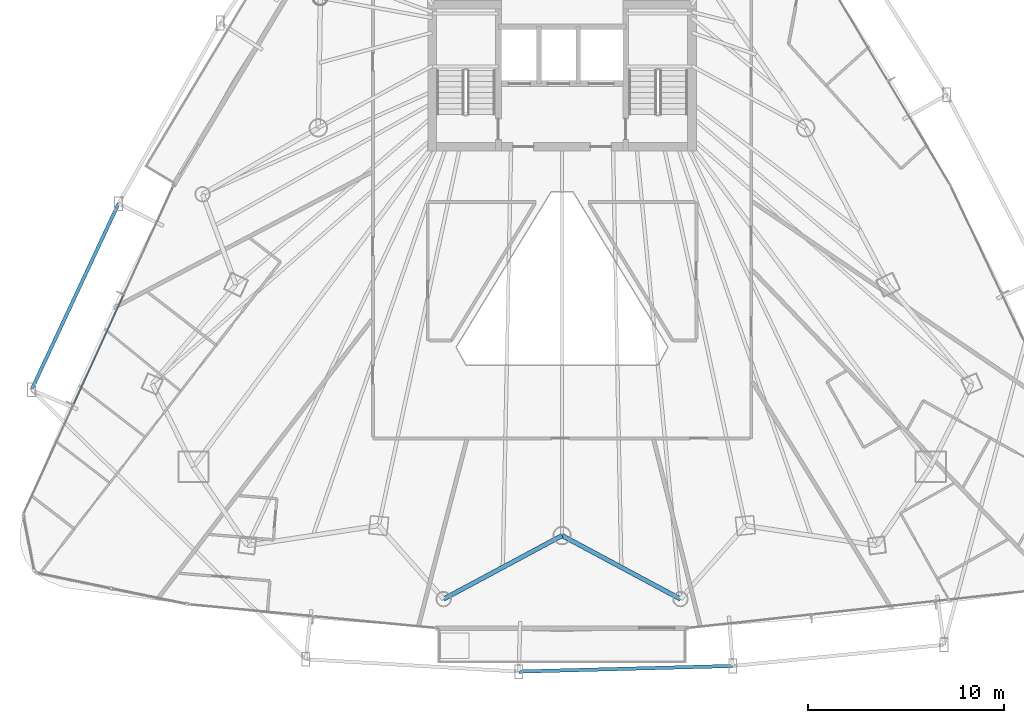
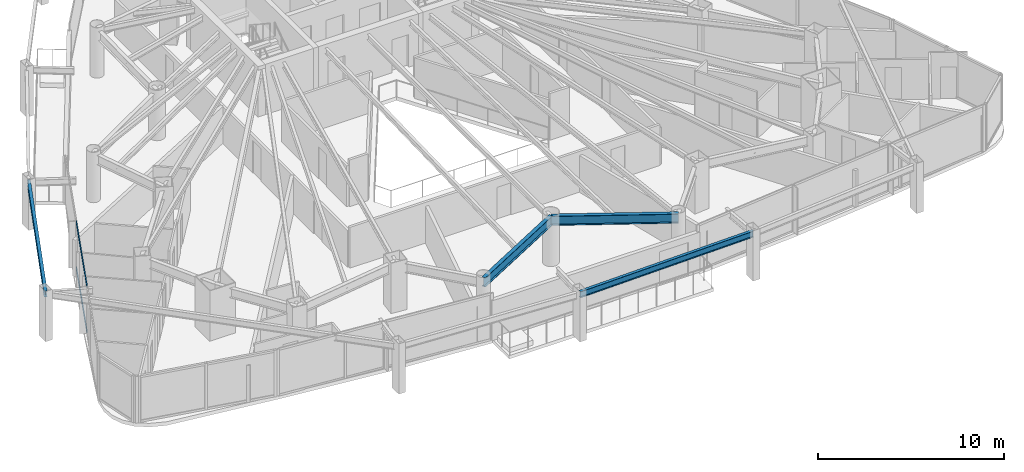
# One storey, part 7 of 34: 4 beams, 2 members, 1 element without a shape of its own.
"""IFC4 building model written with IfcOpenShell, lengths in metres."""

from ifc_helpers import new_model, si_unit, direction, frame, origin, origin_2d, place, context, subcontext, project, spatial, hollow_rectangle, i_section, extrude, material, layer, layer_set, material_profile, profile_set, type_object, element, aggregate, save


model = new_model("IFC4")

# Units and contexts
model_context = context("Model", 3, precision=1e-05, world=origin(), true_north=direction((0.0, 1.0)))
body_context = subcontext(model_context, "Body", "Model", "MODEL_VIEW")
ifc_project = project(units=[si_unit("LENGTHUNIT", "METRE"), si_unit("AREAUNIT", "SQUARE_METRE"), si_unit("VOLUMEUNIT", "CUBIC_METRE"), si_unit("PLANEANGLEUNIT", "RADIAN"), si_unit("MASSUNIT", "GRAM", prefix="KILO")], contexts=[model_context])

# Site, building, storey
site_placement = place(None, origin())
site = spatial("IfcSite", under=ifc_project, at=site_placement, CompositionType="ELEMENT")
building_placement = place(site_placement, origin())
building = spatial("IfcBuilding", under=site, at=building_placement, Name="Orvanel Arch Residences", CompositionType="ELEMENT")
storey_placement = place(building_placement, frame((0.0, 0.0, 77.449951171875)))
storey = spatial("IfcBuildingStorey", under=building, at=storey_placement, Name="L21", CompositionType="ELEMENT", Elevation=77.449951171875)

# Beams
ifc_material_1 = material(Name="Structural steel AS/NZS 3679.1 Grade 300 (300 MPa)", Category="steel")
ifc_material_profile_1 = material_profile(ifc_material_1, i_section(OverallWidth=0.177978515625, OverallDepth=0.406005859375, WebThickness=0.0078125, FlangeThickness=0.0126953125, at=origin_2d()), Name="410UB59.7")
ifc_profile_set_1 = profile_set([ifc_material_profile_1], Name="Structural steel AS/NZS 3679.1 Grade 300 (300 MPa)")
beam_type_1 = type_object("IfcBeamType", Name="OB-410UB-EXT", PredefinedType="SPANDREL", material=ifc_profile_set_1)
beam_1_placement = place(storey_placement, frame((10.3779296875, 23.777099609375, 2.85693359375), z_axis=(-0.423397873986, -0.905943839487, 0.0), x_axis=(0.905943839487, -0.423397873986, 0.0)))
element("IfcBeam", 1, at=beam_1_placement, inside=storey, type_object=beam_type_1, Name="L21 Outer Perimeter Floor Ring Beam 03", PredefinedType="SPANDREL", context=body_context, shape_type="SweptSolid", body=[
    extrude(i_section(OverallWidth=0.177978515625, OverallDepth=0.406005859375, WebThickness=0.0078125, FlangeThickness=0.0126953125, at=origin_2d()), origin(), (0.0, 0.0, 1.0), 10.484130859375),
])
beam_2_placement = place(storey_placement, frame((30.79296875, -0.093994140625, 2.85693359375), z_axis=(0.999654228759, 0.026294922005, 0.0), x_axis=(-0.026294922005, 0.999654228759, 0.0)))
element("IfcBeam", 2, at=beam_2_placement, inside=storey, type_object=beam_type_1, Name="L21 Outer Perimeter Floor Ring Beam 06", PredefinedType="SPANDREL", context=body_context, shape_type="SweptSolid", body=[
    extrude(i_section(OverallWidth=0.177978515625, OverallDepth=0.406005859375, WebThickness=0.0078125, FlangeThickness=0.0126953125, at=origin_2d()), origin(), (0.0, 0.0, 1.0), 10.918701171875),
])
ifc_material_profile_2 = material_profile(ifc_material_1, i_section(OverallWidth=0.22900390625, OverallDepth=0.612060546875, WebThickness=0.011962890625, FlangeThickness=0.01953125, at=origin_2d()), Name="610UB125")
ifc_profile_set_2 = profile_set([ifc_material_profile_2], Name="Structural steel AS/NZS 3679.1 Grade 300 (300 MPa)")
beam_type_2 = type_object("IfcBeamType", Name="SP-610UB", PredefinedType="SPANDREL", material=ifc_profile_set_2)
for number, where, z_axis, x_axis, name in (
    (3, (26.9580078125, 3.60498046875, 2.754150390625), (0.881344400551, 0.472474388319, 0.0), (-0.472474388319, 0.881344400551, 0.0), "L21 Perimeter Spandrel Beam 06"),
    (4, (33.0, 6.843994140625, 2.754150390625), (0.881344400551, -0.472474388319, 0.0), (0.472474388319, 0.881344400551, 0.0), "L21 Perimeter Spandrel Beam 07"),
):
    element("IfcBeam", number, at=place(storey_placement, frame(where, z_axis=z_axis, x_axis=x_axis)), inside=storey, type_object=beam_type_2, Name=name, PredefinedType="SPANDREL", context=body_context, shape_type="SweptSolid", body=[
        extrude(i_section(OverallWidth=0.22900390625, OverallDepth=0.612060546875, WebThickness=0.011962890625, FlangeThickness=0.01953125, at=origin_2d()), origin(), (0.0, 0.0, 1.0), 6.85546875),
    ])

# Curtain wall, members
ifc_material_2 = material(Name="Bronze-anodised aluminium AA6063-T6", Category="aluminium")
ifc_layer = layer(ifc_material_2, 0.179931640625)
ifc_layer_set = layer_set([ifc_layer], Name="Bronze-anodised aluminium AA6063-T6")
curtain_wall_type = type_object("IfcCurtainWallType", Name="CW2-LOW-SYS", PredefinedType="NOTDEFINED", material=ifc_layer_set)
curtain_wall_placement = place(storey_placement, origin())
curtain_wall = element("IfcCurtainWall", 5, at=curtain_wall_placement, inside=storey, type_object=curtain_wall_type, Name="L21 CW2-LOW-SYS Unitised Curtain Wall", PredefinedType="NOTDEFINED")
ifc_material_profile_3 = material_profile(ifc_material_2, hollow_rectangle(XDim=0.06005859375, YDim=0.135009765625, WallThickness=0.00390625, at=origin_2d()), Name="ALU135x60x4")
ifc_profile_set_3 = profile_set([ifc_material_profile_3], Name="Bronze-anodised aluminium AA6063-T6")
member_type = type_object("IfcMemberType", Name="TRN-135x60", PredefinedType="USERDEFINED", material=ifc_profile_set_3)
member_1_placement = place(storey_placement, frame((10.626220703125, 19.09814453125, 0.030029296875), z_axis=(-0.415453034051, -0.909614630763, 0.0), x_axis=(0.909614630763, -0.415453034051, 0.0)))
member_1 = element("IfcMember", 6, at=member_1_placement, type_object=member_type, Name="CW-S2 transom 2.1", ObjectType="TRANSOM", PredefinedType="USERDEFINED", context=body_context, shape_type="SweptSolid", body=[
    extrude(hollow_rectangle(XDim=0.06005859375, YDim=0.135009765625, WallThickness=0.00390625, at=origin_2d()), origin(), (0.0, 0.0, 1.0), 6.09521484375),
])
member_2_placement = place(storey_placement, frame((10.626220703125, 19.09814453125, 3.030029296875), z_axis=(-0.415453034051, -0.909614630763, 0.0), x_axis=(0.909614630763, -0.415453034051, 0.0)))
member_2 = element("IfcMember", 7, at=member_2_placement, type_object=member_type, Name="CW-S2 transom 2.2", ObjectType="TRANSOM", PredefinedType="USERDEFINED", context=body_context, shape_type="SweptSolid", body=[
    extrude(hollow_rectangle(XDim=0.06005859375, YDim=0.135009765625, WallThickness=0.00390625, at=origin_2d()), origin(), (0.0, 0.0, 1.0), 6.09521484375),
])
aggregate(curtain_wall, [member_1, member_2])

save(model, "model.ifc")
